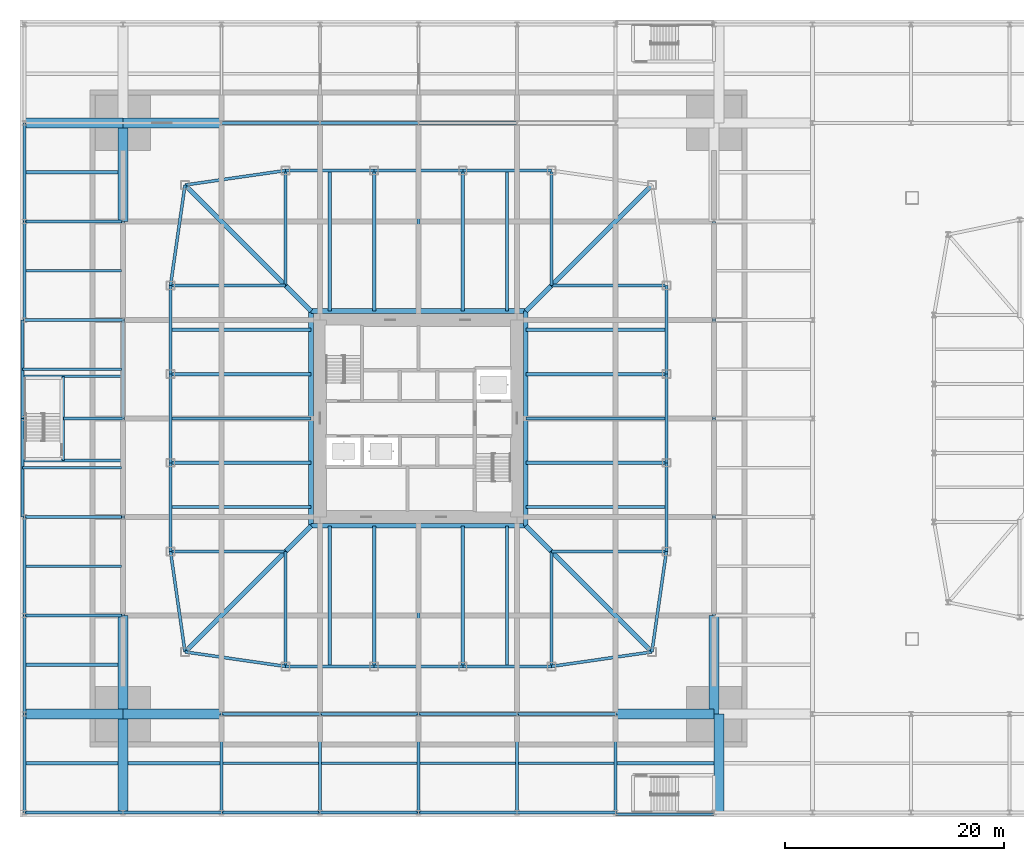
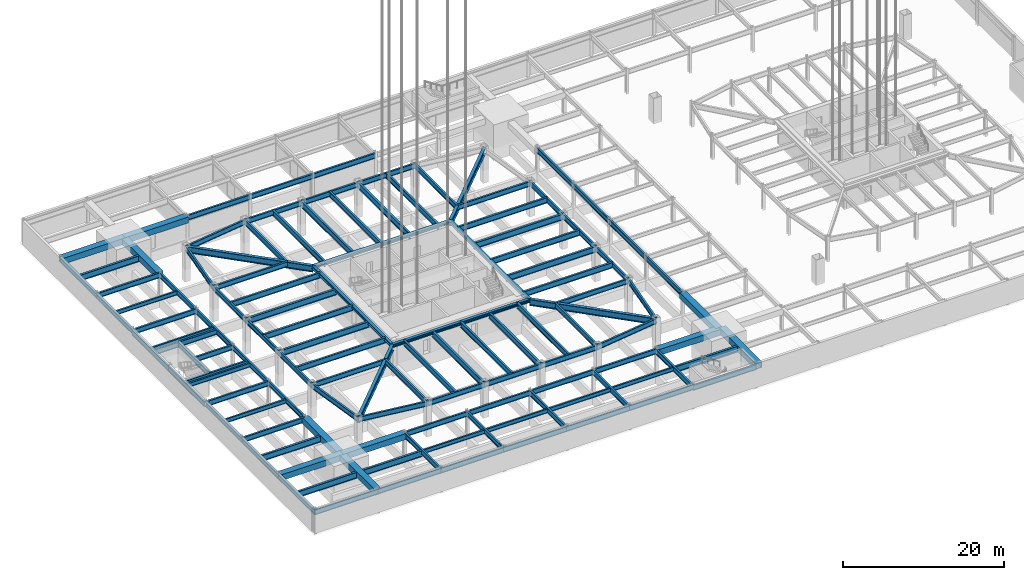
# One storey, part 6 of 35: 119 beams.
"""IFC4 building model written with IfcOpenShell, lengths in metres."""

import ifcopenshell
import ifcopenshell.guid

model = None  # the IFC model being written
_history = None  # IfcOwnerHistory: only IFC2X3 demands one
_inside = {}  # id of a spatial element -> (the spatial element, [elements in it])
_under = {}  # id of a project, library or spatial element -> (it, [spatial elements below it])
_declared = {}  # id of a project -> (the project, [libraries it declares])
_typed = {}  # id of a type object -> (the type object, [elements of that type])
_made_of = {}  # id of a material, layer set ... -> (it, [elements and type objects made of it])


def new_model(schema):
    """Start an empty IFC model of exactly this schema.

    Asked for "IFC4X3", IfcOpenShell would pick the latest addendum, in which some entities
    have other attributes; the version numbers below select the first issue.
    IFC2X3 requires an IfcOwnerHistory on every rooted entity: one is made here for all.
    """
    global model, _history
    if schema == "IFC4X3":
        model = ifcopenshell.file(schema_version=(4, 3, 0, 0))
    else:
        model = ifcopenshell.file(schema=schema)
    _inside.clear()
    _under.clear()
    _declared.clear()
    _typed.clear()
    _made_of.clear()
    _history = None
    if model.schema == "IFC2X3":
        org = make("IfcOrganization", Name="unknown")
        user = make(
            "IfcPersonAndOrganization",
            ThePerson=make("IfcPerson", FamilyName="unknown"),
            TheOrganization=org,
        )
        app = make(
            "IfcApplication",
            ApplicationDeveloper=org,
            Version="unknown",
            ApplicationFullName="unknown",
            ApplicationIdentifier="unknown",
        )
        _history = make(
            "IfcOwnerHistory",
            OwningUser=user,
            OwningApplication=app,
            ChangeAction="ADDED",
            CreationDate=0,
        )
    return model


def make(cls, **values):
    """One entity of the class cls with the attributes given. An attribute that is None is left unset."""
    return model.create_entity(
        cls, **{name: value for name, value in values.items() if value is not None}
    )


def rooted(cls, **values):
    """An entity with a GlobalId (a new one), such as an element, a storey or a relation."""
    return make(cls, GlobalId=ifcopenshell.guid.new(), OwnerHistory=_history, **values)


def si_unit(unit_type, name, prefix=None):
    """IfcSIUnit, for example si_unit("LENGTHUNIT", "METRE", prefix="MILLI")."""
    return make("IfcSIUnit", UnitType=unit_type, Prefix=prefix, Name=name)


def assignment(units):
    """IfcUnitAssignment: the units of a project."""
    return None if units is None else make("IfcUnitAssignment", Units=units)


def point(xyz):
    """IfcCartesianPoint."""
    return None if xyz is None else make("IfcCartesianPoint", Coordinates=xyz)


def direction(xyz):
    """IfcDirection."""
    return None if xyz is None else make("IfcDirection", DirectionRatios=xyz)


def frame(location, z_axis=None, x_axis=None):
    """IfcAxis2Placement3D, a coordinate frame: its origin and axes. An axis left out is left unset."""
    return make(
        "IfcAxis2Placement3D",
        Location=point(location),
        Axis=direction(z_axis),
        RefDirection=direction(x_axis),
    )


def frame_2d(location, x_axis=None):
    """IfcAxis2Placement2D, a coordinate frame in the plane: its origin and x axis."""
    return make(
        "IfcAxis2Placement2D", Location=point(location), RefDirection=direction(x_axis)
    )


def origin():
    """The frame at (0, 0, 0) with its axes left unset."""
    return frame((0.0, 0.0, 0.0))


def origin_2d():
    """The frame at (0, 0) in the plane with its x axis left unset."""
    return frame_2d((0.0, 0.0))


def place(relative_to, where):
    """IfcLocalPlacement: puts the frame where relative to a parent placement (None: the world)."""
    return make(
        "IfcLocalPlacement", PlacementRelTo=relative_to, RelativePlacement=where
    )


def context(
    kind, dimensions, precision=None, world=None, true_north=None, identifier=None
):
    """IfcGeometricRepresentationContext, for example the 3D "Model" context."""
    return make(
        "IfcGeometricRepresentationContext",
        ContextIdentifier=identifier,
        ContextType=kind,
        CoordinateSpaceDimension=dimensions,
        Precision=precision,
        WorldCoordinateSystem=world,
        TrueNorth=true_north,
    )


def subcontext(parent, identifier, kind, view, scale=None):
    """IfcGeometricRepresentationSubContext, for example "Body" below "Model"."""
    return make(
        "IfcGeometricRepresentationSubContext",
        ContextIdentifier=identifier,
        ContextType=kind,
        ParentContext=parent,
        TargetScale=scale,
        TargetView=view,
    )


def project(units=None, contexts=None):
    """IfcProject with its units and contexts."""
    return rooted(
        "IfcProject",
        Name="project",
        RepresentationContexts=contexts,
        UnitsInContext=assignment(units),
    )


def spatial(cls, under=None, at=None, **own):
    """A site, building, storey or space (cls), placed at a placement, below another one or the project."""
    s = rooted(cls, ObjectPlacement=at, **own)
    if under is not None:
        _under.setdefault(under.id(), (under, []))[1].append(s)
    return s


def profile(cls, at=None, kind="AREA", **sizes):
    """A parametric profile (cls). Its sizes go by their IFC names, for example OverallWidth=200.0."""
    return make(cls, ProfileType=kind, Position=at, **sizes)


def hollow_rectangle(**sizes):
    """IfcRectangleHollowProfileDef."""
    return profile("IfcRectangleHollowProfileDef", **sizes)


def i_section(**sizes):
    """IfcIShapeProfileDef."""
    return profile("IfcIShapeProfileDef", **sizes)


def extrude(swept, where, along, depth):
    """IfcExtrudedAreaSolid: the profile swept, set in the frame where, extruded along a direction by depth."""
    return make(
        "IfcExtrudedAreaSolid",
        SweptArea=swept,
        Position=where,
        ExtrudedDirection=direction(along),
        Depth=depth,
    )


def shape(context_of_items, identifier, shape_type, items):
    """IfcShapeRepresentation: the items that make up one representation, for example the "Body"."""
    return make(
        "IfcShapeRepresentation",
        ContextOfItems=context_of_items,
        RepresentationIdentifier=identifier,
        RepresentationType=shape_type,
        Items=items,
    )


def material(Name=None, Category=None):
    """IfcMaterial."""
    return make("IfcMaterial", Name=Name, Category=Category)


def material_profile(
    of_material, cross_section, Name=None, Category=None, Priority=None
):
    """IfcMaterialProfile: a cross section and its material."""
    return make(
        "IfcMaterialProfile",
        Name=Name,
        Material=of_material,
        Profile=cross_section,
        Priority=Priority,
        Category=Category,
    )


def profile_set(profiles, Name=None, composite=None):
    """IfcMaterialProfileSet."""
    return make(
        "IfcMaterialProfileSet",
        Name=Name,
        MaterialProfiles=profiles,
        CompositeProfile=composite,
    )


def made_of(thing, what):
    """Note that an element or type object is made of a material, layer set ...; save() writes the relation."""
    if what is not None:
        _made_of.setdefault(what.id(), (what, []))[1].append(thing)
    return thing


def type_object(cls, material=None, **own):
    """A type object (cls), such as IfcWallType, which elements share."""
    return made_of(rooted(cls, **own), material)


def element(
    cls,
    number,
    at=None,
    inside=None,
    cuts=None,
    type_object=None,
    material=None,
    context=None,
    identifier="Body",
    shape_type=None,
    held_by="IfcProductDefinitionShape",
    body=None,
    shapes=None,
    **own,
):
    """One element of the class cls, such as IfcWall. Its Tag is "e" and its number.

    at: its placement. inside: the storey or other place that contains it. cuts: it is an
    opening in that element (IfcRelVoidsElement). A single representation is given by context,
    identifier, shape_type and body (its items); several are given by shapes. held_by: the class
    of the entity that holds the representations. save() writes the other relations.
    """
    e = rooted(cls, Tag="e%d" % number, ObjectPlacement=at, **own)
    if body is not None:
        shapes = [shape(context, identifier, shape_type, body)]
    if shapes is not None:
        e.Representation = make(held_by, Representations=shapes)
    if inside is not None:
        _inside.setdefault(inside.id(), (inside, []))[1].append(e)
    if cuts is not None:
        rooted(
            "IfcRelVoidsElement", RelatingBuildingElement=cuts, RelatedOpeningElement=e
        )
    if type_object is not None:
        _typed.setdefault(type_object.id(), (type_object, []))[1].append(e)
    return made_of(e, material)


def aggregate(whole, parts):
    """IfcRelAggregates: a whole, such as a stair, and the parts it consists of."""
    return rooted("IfcRelAggregates", RelatingObject=whole, RelatedObjects=parts)


def save(model, path):
    """Write the relations noted so far, then the file.

    IfcRelAggregates (storeys below a building ...), IfcRelContainedInSpatialStructure (elements
    in a storey), IfcRelDefinesByType, IfcRelAssociatesMaterial and IfcRelDeclares: one each for
    every whole, place, type object, material and project.
    """
    for whole, parts in _under.values():
        aggregate(whole, parts)
    for where, things in _inside.values():
        rooted(
            "IfcRelContainedInSpatialStructure",
            RelatedElements=things,
            RelatingStructure=where,
        )
    for kind, things in _typed.values():
        rooted("IfcRelDefinesByType", RelatedObjects=things, RelatingType=kind)
    for what, things in _made_of.values():
        rooted("IfcRelAssociatesMaterial", RelatedObjects=things, RelatingMaterial=what)
    for by, libraries in _declared.values():
        rooted("IfcRelDeclares", RelatingContext=by, RelatedDefinitions=libraries)
    model.write(path)


model = new_model("IFC4")

# Units and contexts
model_context = context("Model", 3, precision=1e-05, world=origin(), true_north=direction((0.0, 1.0)))
body_context = subcontext(model_context, "Body", "Model", "MODEL_VIEW")
ifc_project = project(units=[si_unit("LENGTHUNIT", "METRE"), si_unit("AREAUNIT", "SQUARE_METRE"), si_unit("VOLUMEUNIT", "CUBIC_METRE"), si_unit("PLANEANGLEUNIT", "RADIAN"), si_unit("MASSUNIT", "GRAM", prefix="KILO")], contexts=[model_context])

# Site, building, storey
site_placement = place(None, origin())
site = spatial("IfcSite", under=ifc_project, at=site_placement, CompositionType="ELEMENT")
building_placement = place(site_placement, origin())
building = spatial("IfcBuilding", under=site, at=building_placement, Name="Iwan Alto Co-Living Towers", CompositionType="ELEMENT")
storey_placement = place(building_placement, frame((0.0, 0.0, -7.199951171875)))
storey = spatial("IfcBuildingStorey", under=building, at=storey_placement, Name="B2", CompositionType="ELEMENT", Elevation=-7.199951171875)

# Beams
ifc_material_1 = material(Name="Steel ASTM A992 Gr 50", Category="steel")
ifc_material_profile_1 = material_profile(ifc_material_1, i_section(OverallWidth=0.2666015625, OverallDepth=0.76953125, WebThickness=0.015625, FlangeThickness=0.025390625, at=origin_2d()), Name="W30X132")
ifc_profile_set_1 = profile_set([ifc_material_profile_1], Name="Steel ASTM A992 Gr 50")
beam_type_1 = type_object("IfcBeamType", Name="PODIUM BEAM W30X132", PredefinedType="BEAM", material=ifc_profile_set_1)
for number, where, z_axis, x_axis, name in (
    (1, (-36.0, -36.0, 2.965087890625), (1.0, 0.0, 0.0), (0.0, 1.0, 0.0), "Podium beam 1/A-2/A B1"),
    (2, (-36.0, -36.0, 2.965087890625), (0.0, 1.0, 0.0), (-1.0, 0.0, 0.0), "Podium beam 1/A-1/B B1"),
    (3, (-36.0, -27.0, 2.965087890625), (0.0, 1.0, 0.0), (-1.0, 0.0, 0.0), "Podium beam 1/B-1/C B1"),
    (4, (-36.0, -18.0, 2.965087890625), (1.0, 0.0, 0.0), (0.0, 1.0, 0.0), "Podium beam 1/C-2/C B1"),
    (5, (-36.0, -18.0, 2.965087890625), (0.0, 1.0, 0.0), (-1.0, 0.0, 0.0), "Podium beam 1/C-1/D B1"),
    (6, (-36.0, -9.0, 2.965087890625), (1.0, 0.0, 0.0), (0.0, 1.0, 0.0), "Podium beam 1/D-2/D B1"),
    (7, (-36.1533203125, -9.0, 2.965087890625), (0.0, 1.0, 0.0), (-1.0, 0.0, 0.0), "Podium beam 1/D-1/E B1"),
    (8, (-36.1533203125, 0.0, 2.965087890625), (0.0, 1.0, 0.0), (-1.0, 0.0, 0.0), "Podium beam 1/E-1/F B1"),
    (9, (-36.0, 9.0, 2.965087890625), (1.0, 0.0, 0.0), (0.0, 1.0, 0.0), "Podium beam 1/F-2/F B1"),
    (10, (-36.0, 9.0, 2.965087890625), (0.0, 1.0, 0.0), (-1.0, 0.0, 0.0), "Podium beam 1/F-1/G B1"),
    (11, (-36.0, 18.0, 2.965087890625), (1.0, 0.0, 0.0), (0.0, 1.0, 0.0), "Podium beam 1/G-2/G B1"),
    (12, (-36.0, 18.0, 2.965087890625), (0.0, 1.0, 0.0), (-1.0, 0.0, 0.0), "Podium beam 1/G-1/H B1"),
    (13, (-27.0, -36.0, 2.965087890625), (1.0, 0.0, 0.0), (0.0, 1.0, 0.0), "Podium beam 2/A-3/A B1"),
    (14, (-27.0, -18.0, 2.965087890625), (0.0, 1.0, 0.0), (-1.0, 0.0, 0.0), "Podium beam 2/C-2/D B1"),
    (15, (-27.0, -9.0, 2.965087890625), (0.0, 1.0, 0.0), (-1.0, 0.0, 0.0), "Podium beam 2/D-2/E B1"),
    (16, (-27.0, 0.0, 2.965087890625), (0.0, 1.0, 0.0), (-1.0, 0.0, 0.0), "Podium beam 2/E-2/F B1"),
    (17, (-27.0, 9.0, 2.965087890625), (0.0, 1.0, 0.0), (-1.0, 0.0, 0.0), "Podium beam 2/F-2/G B1"),
    (18, (-18.0, -36.0, 2.965087890625), (1.0, 0.0, 0.0), (0.0, 1.0, 0.0), "Podium beam 3/A-4/A B1"),
    (19, (-18.0, -36.0, 2.965087890625), (0.0, 1.0, 0.0), (-1.0, 0.0, 0.0), "Podium beam 3/A-3/B B1"),
    (20, (-18.0, -27.0, 2.965087890625), (1.0, 0.0, 0.0), (0.0, 1.0, 0.0), "Podium beam 3/B-4/B B1"),
    (21, (-18.0, 27.0, 2.965087890625), (1.0, 0.0, 0.0), (0.0, 1.0, 0.0), "Podium beam 3/H-4/H B1"),
    (22, (-9.0, -36.0, 2.965087890625), (1.0, 0.0, 0.0), (0.0, 1.0, 0.0), "Podium beam 4/A-5/A B1"),
    (23, (-9.0, -36.0, 2.965087890625), (0.0, 1.0, 0.0), (-1.0, 0.0, 0.0), "Podium beam 4/A-4/B B1"),
    (24, (-9.0, -27.0, 2.965087890625), (1.0, 0.0, 0.0), (0.0, 1.0, 0.0), "Podium beam 4/B-5/B B1"),
    (25, (-9.0, 27.0, 2.965087890625), (1.0, 0.0, 0.0), (0.0, 1.0, 0.0), "Podium beam 4/H-5/H B1"),
    (26, (0.0, -36.0, 2.965087890625), (1.0, 0.0, 0.0), (0.0, 1.0, 0.0), "Podium beam 5/A-6/A B1"),
    (27, (0.0, -36.0, 2.965087890625), (0.0, 1.0, 0.0), (-1.0, 0.0, 0.0), "Podium beam 5/A-5/B B1"),
    (28, (0.0, -27.0, 2.965087890625), (1.0, 0.0, 0.0), (0.0, 1.0, 0.0), "Podium beam 5/B-6/B B1"),
    (29, (0.0, 27.0, 2.965087890625), (1.0, 0.0, 0.0), (0.0, 1.0, 0.0), "Podium beam 5/H-6/H B1"),
    (30, (9.0, -36.0, 2.965087890625), (1.0, 0.0, 0.0), (0.0, 1.0, 0.0), "Podium beam 6/A-7/A B1"),
    (31, (9.0, -36.0, 2.965087890625), (0.0, 1.0, 0.0), (-1.0, 0.0, 0.0), "Podium beam 6/A-6/B B1"),
    (32, (9.0, -27.0, 2.965087890625), (1.0, 0.0, 0.0), (0.0, 1.0, 0.0), "Podium beam 6/B-7/B B1"),
    (33, (18.0, -36.1533203125, 2.965087890625), (1.0, 0.0, 0.0), (0.0, 1.0, 0.0), "Podium beam 7/A-8/A B1"),
    (34, (18.0, -36.0, 2.965087890625), (0.0, 1.0, 0.0), (-1.0, 0.0, 0.0), "Podium beam 7/A-7/B B1"),
    (35, (27.0, -18.0, 2.965087890625), (0.0, 1.0, 0.0), (-1.0, 0.0, 0.0), "Podium beam 8/C-8/D B1"),
    (36, (27.0, -9.0, 2.965087890625), (0.0, 1.0, 0.0), (-1.0, 0.0, 0.0), "Podium beam 8/D-8/E B1"),
    (37, (27.0, 0.0, 2.965087890625), (0.0, 1.0, 0.0), (-1.0, 0.0, 0.0), "Podium beam 8/E-8/F B1"),
    (38, (27.0, 9.0, 2.965087890625), (0.0, 1.0, 0.0), (-1.0, 0.0, 0.0), "Podium beam 8/F-8/G B1"),
):
    element("IfcBeam", number, at=place(storey_placement, frame(where, z_axis=z_axis, x_axis=x_axis)), inside=storey, type_object=beam_type_1, Name=name, PredefinedType="BEAM", context=body_context, shape_type="SweptSolid", body=[
        extrude(i_section(OverallWidth=0.2666015625, OverallDepth=0.76953125, WebThickness=0.015625, FlangeThickness=0.025390625, at=origin_2d()), origin(), (0.0, 0.0, 1.0), 9.0),
    ])
beam_1_placement = place(storey_placement, frame((-27.0, 0.0, 2.965087890625), z_axis=(-1.0, 0.0, 0.0), x_axis=(0.0, -1.0, 0.0)))
element("IfcBeam", 39, at=beam_1_placement, inside=storey, type_object=beam_type_1, Name="Podium beam 2/E to stair header B1", PredefinedType="BEAM", context=body_context, shape_type="SweptSolid", body=[
    extrude(i_section(OverallWidth=0.2666015625, OverallDepth=0.76953125, WebThickness=0.015625, FlangeThickness=0.025390625, at=origin_2d()), origin(), (0.0, 0.0, 1.0), 5.446533203125),
])
ifc_material_2 = material(Name="Steel ASTM A992 Gr 50", Category="steel")
ifc_material_profile_2 = material_profile(ifc_material_2, i_section(OverallWidth=0.307373046875, OverallDepth=0.927001953125, WebThickness=0.01953125, FlangeThickness=0.031982421875, at=origin_2d()), Name="W36X194")
ifc_profile_set_2 = profile_set([ifc_material_profile_2], Name="Steel ASTM A992 Gr 50")
beam_type_2 = type_object("IfcBeamType", Name="PODIUM PIER BAY SECONDARY BEAM W36X194", PredefinedType="JOIST", material=ifc_profile_set_2)
for number, where, z_axis, x_axis, name in (
    (40, (-35.86669921875, -31.5, 2.886474609375), (1.0, 0.0, 0.0), (0.0, 1.0, 0.0), "Podium secondary beam 1/A B1"),
    (41, (-35.86669921875, -22.5, 2.886474609375), (1.0, 0.0, 0.0), (0.0, 1.0, 0.0), "Podium secondary beam 1/B B1"),
    (42, (-35.86669921875, 22.5, 2.886474609375), (1.0, 0.0, 0.0), (0.0, 1.0, 0.0), "Podium secondary beam 1/G B1"),
    (43, (-26.550048828125, -31.5, 2.886474609375), (1.0, 0.0, 0.0), (0.0, 1.0, 0.0), "Podium secondary beam 2/A B1"),
):
    element("IfcBeam", number, at=place(storey_placement, frame(where, z_axis=z_axis, x_axis=x_axis)), inside=storey, type_object=beam_type_2, Name=name, PredefinedType="JOIST", context=body_context, shape_type="SweptSolid", body=[
        extrude(i_section(OverallWidth=0.307373046875, OverallDepth=0.927001953125, WebThickness=0.01953125, FlangeThickness=0.031982421875, at=origin_2d()), origin(), (0.0, 0.0, 1.0), 8.416748046875),
    ])
beam_2_placement = place(storey_placement, frame((18.13330078125, -31.5, 2.886474609375), z_axis=(1.0, 0.0, 0.0), x_axis=(0.0, 1.0, 0.0)))
element("IfcBeam", 44, at=beam_2_placement, inside=storey, type_object=beam_type_2, Name="Podium secondary beam 7/A B1", PredefinedType="JOIST", context=body_context, shape_type="SweptSolid", body=[
    extrude(i_section(OverallWidth=0.307373046875, OverallDepth=0.927001953125, WebThickness=0.01953125, FlangeThickness=0.031982421875, at=origin_2d()), origin(), (0.0, 0.0, 1.0), 8.88671875),
])
ifc_material_3 = material(Name="Steel ASTM A572 Gr 50", Category="steel")
ifc_material_profile_3 = material_profile(ifc_material_3, hollow_rectangle(XDim=0.89990234375, YDim=0.89990234375, WallThickness=0.06005859375, at=origin_2d()), Name="BOX 900X900X60")
ifc_profile_set_3 = profile_set([ifc_material_profile_3], Name="Steel ASTM A572 Gr 50")
beam_type_3 = type_object("IfcBeamType", Name="PODIUM PIER BEAM BOX 900X900X60", PredefinedType="BEAM", material=ifc_profile_set_3)
for number, where, z_axis, x_axis, name in (
    (45, (-36.0, -27.0, 2.89990234375), (1.0, 0.0, 0.0), (0.0, 1.0, 0.0), "Podium beam 1/B-2/B B1"),
    (46, (-36.0, 27.0, 2.89990234375), (1.0, 0.0, 0.0), (0.0, 1.0, 0.0), "Podium beam 1/H-2/H B1"),
    (47, (-27.0, -36.0, 2.89990234375), (0.0, 1.0, 0.0), (-1.0, 0.0, 0.0), "Podium beam 2/A-2/B B1"),
    (48, (-27.0, -27.0, 2.89990234375), (1.0, 0.0, 0.0), (0.0, 1.0, 0.0), "Podium beam 2/B-3/B B1"),
    (49, (-27.0, -27.0, 2.89990234375), (0.0, 1.0, 0.0), (-1.0, 0.0, 0.0), "Podium beam 2/B-2/C B1"),
    (50, (-27.0, 18.0, 2.89990234375), (0.0, 1.0, 0.0), (-1.0, 0.0, 0.0), "Podium beam 2/G-2/H B1"),
    (51, (-27.0, 27.0, 2.89990234375), (1.0, 0.0, 0.0), (0.0, 1.0, 0.0), "Podium beam 2/H-3/H B1"),
    (52, (18.0, -27.0, 2.89990234375), (1.0, 0.0, 0.0), (0.0, 1.0, 0.0), "Podium beam 7/B-8/B B1"),
    (53, (27.469970703125, -36.0, 2.89990234375), (0.0, 1.0, 0.0), (-1.0, 0.0, 0.0), "Podium beam 8/A-8/B B1"),
    (54, (27.0, -27.0, 2.89990234375), (0.0, 1.0, 0.0), (-1.0, 0.0, 0.0), "Podium beam 8/B-8/C B1"),
):
    element("IfcBeam", number, at=place(storey_placement, frame(where, z_axis=z_axis, x_axis=x_axis)), inside=storey, type_object=beam_type_3, Name=name, PredefinedType="BEAM", context=body_context, shape_type="SweptSolid", body=[
        extrude(hollow_rectangle(XDim=0.89990234375, YDim=0.89990234375, WallThickness=0.06005859375, at=origin_2d()), origin(), (0.0, 0.0, 1.0), 9.0),
    ])
ifc_material_4 = material(Name="Steel ASTM A992 Gr 50", Category="steel")
ifc_material_profile_4 = material_profile(ifc_material_4, i_section(OverallWidth=0.23046875, OverallDepth=0.6171875, WebThickness=0.01318359375, FlangeThickness=0.022216796875, at=origin_2d()), Name="W24X94")
ifc_profile_set_4 = profile_set([ifc_material_profile_4], Name="Steel ASTM A992 Gr 50")
beam_type_4 = type_object("IfcBeamType", Name="PODIUM SECONDARY BEAM W24X94", PredefinedType="JOIST", material=ifc_profile_set_4)
beam_3_placement = place(storey_placement, frame((-35.86669921875, -13.5, 3.041259765625), z_axis=(1.0, 0.0, 0.0), x_axis=(0.0, 1.0, 0.0)))
element("IfcBeam", 55, at=beam_3_placement, inside=storey, type_object=beam_type_4, Name="Podium secondary beam 1/C B1", PredefinedType="JOIST", context=body_context, shape_type="SweptSolid", body=[
    extrude(i_section(OverallWidth=0.23046875, OverallDepth=0.6171875, WebThickness=0.01318359375, FlangeThickness=0.022216796875, at=origin_2d()), origin(), (0.0, 0.0, 1.0), 8.7333984375),
])
for number, where, z_axis, x_axis, name in (
    (56, (-36.1533203125, -4.5, 3.041259765625), (1.0, 0.0, 0.0), (0.0, 1.0, 0.0), "Podium secondary beam 1/D B1"),
    (57, (-36.1533203125, 4.5, 3.041259765625), (1.0, 0.0, 0.0), (0.0, 1.0, 0.0), "Podium secondary beam 1/E B1"),
):
    element("IfcBeam", number, at=place(storey_placement, frame(where, z_axis=z_axis, x_axis=x_axis)), inside=storey, type_object=beam_type_4, Name=name, PredefinedType="JOIST", context=body_context, shape_type="SweptSolid", body=[
        extrude(i_section(OverallWidth=0.23046875, OverallDepth=0.6171875, WebThickness=0.01318359375, FlangeThickness=0.022216796875, at=origin_2d()), origin(), (0.0, 0.0, 1.0), 9.02001953125),
    ])
for number, where, z_axis, x_axis, name in (
    (58, (-35.86669921875, 13.5, 3.041259765625), (1.0, 0.0, 0.0), (0.0, 1.0, 0.0), "Podium secondary beam 1/F B1"),
    (59, (-17.86669921875, -31.5, 3.041259765625), (1.0, 0.0, 0.0), (0.0, 1.0, 0.0), "Podium secondary beam 3/A B1"),
    (60, (-8.86669921875, -31.5, 3.041259765625), (1.0, 0.0, 0.0), (0.0, 1.0, 0.0), "Podium secondary beam 4/A B1"),
    (61, (0.13330078125, -31.5, 3.041259765625), (1.0, 0.0, 0.0), (0.0, 1.0, 0.0), "Podium secondary beam 5/A B1"),
    (62, (9.13330078125, -31.5, 3.041259765625), (1.0, 0.0, 0.0), (0.0, 1.0, 0.0), "Podium secondary beam 6/A B1"),
):
    element("IfcBeam", number, at=place(storey_placement, frame(where, z_axis=z_axis, x_axis=x_axis)), inside=storey, type_object=beam_type_4, Name=name, PredefinedType="JOIST", context=body_context, shape_type="SweptSolid", body=[
        extrude(i_section(OverallWidth=0.23046875, OverallDepth=0.6171875, WebThickness=0.01318359375, FlangeThickness=0.022216796875, at=origin_2d()), origin(), (0.0, 0.0, 1.0), 8.7333984375),
    ])
ifc_material_5 = material(Name="Steel ASTM A992 Gr 50", Category="steel")
ifc_material_profile_5 = material_profile(ifc_material_5, i_section(OverallWidth=0.2666015625, OverallDepth=0.76953125, WebThickness=0.015625, FlangeThickness=0.025390625, at=origin_2d()), Name="W30X132")
ifc_profile_set_5 = profile_set([ifc_material_profile_5], Name="Steel ASTM A992 Gr 50")
beam_type_5 = type_object("IfcBeamType", Name="PODIUM STAIR HEADER BEAM W30X132", PredefinedType="BEAM", material=ifc_profile_set_5)
beam_4_placement = place(storey_placement, frame((-32.446533203125, -3.853271484375, 2.965087890625), z_axis=(0.0, 1.0, 0.0), x_axis=(-1.0, 0.0, 0.0)))
element("IfcBeam", 63, at=beam_4_placement, inside=storey, type_object=beam_type_5, Name="Podium stair header 1/E-2/E B1", PredefinedType="BEAM", context=body_context, shape_type="SweptSolid", body=[
    extrude(i_section(OverallWidth=0.2666015625, OverallDepth=0.76953125, WebThickness=0.015625, FlangeThickness=0.025390625, at=origin_2d()), origin(), (0.0, 0.0, 1.0), 7.70654296875),
])
ifc_material_6 = material(Name="Steel ASTM A992 Gr 50", Category="steel")
ifc_material_profile_6 = material_profile(ifc_material_6, i_section(OverallWidth=0.2666015625, OverallDepth=0.76953125, WebThickness=0.015625, FlangeThickness=0.025390625, at=origin_2d()), Name="W30X132")
ifc_profile_set_6 = profile_set([ifc_material_profile_6], Name="Steel ASTM A992 Gr 50")
beam_type_6 = type_object("IfcBeamType", Name="PODIUM STAIR TRIMMER BEAM W30X132", PredefinedType="BEAM", material=ifc_profile_set_6)
for number, where, z_axis, x_axis, name in (
    (64, (-36.1533203125, -3.853271484375, 2.965087890625), (1.0, 0.0, 0.0), (0.0, 1.0, 0.0), "Podium stair trimmer 1/E-2/E S B1"),
    (65, (-36.1533203125, 3.853271484375, 2.965087890625), (1.0, 0.0, 0.0), (0.0, 1.0, 0.0), "Podium stair trimmer 1/E-2/E N B1"),
):
    element("IfcBeam", number, at=place(storey_placement, frame(where, z_axis=z_axis, x_axis=x_axis)), inside=storey, type_object=beam_type_6, Name=name, PredefinedType="BEAM", context=body_context, shape_type="SweptSolid", body=[
        extrude(i_section(OverallWidth=0.2666015625, OverallDepth=0.76953125, WebThickness=0.015625, FlangeThickness=0.025390625, at=origin_2d()), origin(), (0.0, 0.0, 1.0), 9.1533203125),
    ])
ifc_material_7 = material(Name="Steel ASTM A992 Gr 50", Category="steel")
ifc_material_profile_7 = material_profile(ifc_material_7, i_section(OverallWidth=0.424072265625, OverallDepth=0.47509765625, WebThickness=0.0478515625, FlangeThickness=0.0771484375, at=origin_2d()), Name="W14X426")
ifc_profile_set_7 = profile_set([ifc_material_profile_7], Name="Steel ASTM A992 Gr 50")
beam_type_7 = type_object("IfcBeamType", Name="T1 CORE LEDGER BEAM W14X426", PredefinedType="BEAM", material=ifc_profile_set_7)
for number, where, z_axis, x_axis, name in (
    (66, (-9.81201171875, -9.81201171875, 3.112548828125), (1.0, 0.0, 0.0), (0.0, 1.0, 0.0), "T1 core ledger beam S B1"),
    (67, (9.81201171875, -9.81201171875, 3.112548828125), (0.0, 1.0, 0.0), (-1.0, 0.0, 0.0), "T1 core ledger beam E B1"),
    (68, (9.81201171875, 9.81201171875, 3.112548828125), (-1.0, 0.0, 0.0), (0.0, -1.0, 0.0), "T1 core ledger beam N B1"),
    (69, (-9.81201171875, 9.81201171875, 3.112548828125), (0.0, -1.0, 0.0), (1.0, 0.0, 0.0), "T1 core ledger beam W B1"),
):
    element("IfcBeam", number, at=place(storey_placement, frame(where, z_axis=z_axis, x_axis=x_axis)), inside=storey, type_object=beam_type_7, Name=name, PredefinedType="BEAM", context=body_context, shape_type="SweptSolid", body=[
        extrude(i_section(OverallWidth=0.424072265625, OverallDepth=0.47509765625, WebThickness=0.0478515625, FlangeThickness=0.0771484375, at=origin_2d()), origin(), (0.0, 0.0, 1.0), 19.6240234375),
    ])
ifc_material_8 = material(Name="Steel ASTM A992 Gr 50", Category="steel")
ifc_material_profile_8 = material_profile(ifc_material_8, i_section(OverallWidth=0.424072265625, OverallDepth=0.947509765625, WebThickness=0.02392578125, FlangeThickness=0.042724609375, at=origin_2d()), Name="W36X302")
ifc_profile_set_8 = profile_set([ifc_material_profile_8], Name="Steel ASTM A992 Gr 50")
beam_type_8 = type_object("IfcBeamType", Name="T1 CORNER GIRDER W36X302", PredefinedType="BEAM", material=ifc_profile_set_8)
for number, where, z_axis, x_axis, name in (
    (70, (-21.32568359375, -21.32568359375, 2.876220703125), (0.707106781187, 0.707106781187, 0.0), (-0.707106781187, 0.707106781187, 0.0), "T1 corner girder CSW B1"),
    (71, (21.32568359375, -21.32568359375, 2.876220703125), (-0.707106781187, 0.707106781187, 0.0), (-0.707106781187, -0.707106781187, 0.0), "T1 corner girder CSE B1"),
    (72, (21.32568359375, 21.32568359375, 2.876220703125), (-0.707106781187, -0.707106781187, 0.0), (0.707106781187, -0.707106781187, 0.0), "T1 corner girder CNE B1"),
    (73, (-21.32568359375, 21.32568359375, 2.876220703125), (0.707106781187, -0.707106781187, 0.0), (0.707106781187, 0.707106781187, 0.0), "T1 corner girder CNW B1"),
):
    element("IfcBeam", number, at=place(storey_placement, frame(where, z_axis=z_axis, x_axis=x_axis)), inside=storey, type_object=beam_type_8, Name=name, PredefinedType="BEAM", context=body_context, shape_type="SweptSolid", body=[
        extrude(i_section(OverallWidth=0.424072265625, OverallDepth=0.947509765625, WebThickness=0.02392578125, FlangeThickness=0.042724609375, at=origin_2d()), origin(), (0.0, 0.0, 1.0), 16.28271484375),
    ])
ifc_material_9 = material(Name="Steel ASTM A992 Gr 50", Category="steel")
ifc_material_profile_9 = material_profile(ifc_material_9, i_section(OverallWidth=0.2666015625, OverallDepth=0.761962890625, WebThickness=0.014404296875, FlangeThickness=0.021484375, at=origin_2d()), Name="W30X116")
ifc_profile_set_9 = profile_set([ifc_material_profile_9], Name="Steel ASTM A992 Gr 50")
beam_type_9 = type_object("IfcBeamType", Name="T1 EDGE BEAM W30X116", PredefinedType="BEAM", material=ifc_profile_set_9)
beam_5_placement = place(storey_placement, frame((-21.32568359375, -21.32568359375, 2.968994140625), z_axis=(0.989746234347, -0.142836940589, 0.0), x_axis=(0.142836940589, 0.989746234347, 0.0)))
element("IfcBeam", 74, at=beam_5_placement, inside=storey, type_object=beam_type_9, Name="T1 edge beam CSW B1", PredefinedType="BEAM", context=body_context, shape_type="SweptSolid", body=[
    extrude(i_section(OverallWidth=0.2666015625, OverallDepth=0.761962890625, WebThickness=0.014404296875, FlangeThickness=0.021484375, at=origin_2d()), origin(), (0.0, 0.0, 1.0), 9.270751953125),
])
beam_6_placement = place(storey_placement, frame((-12.14990234375, -22.64990234375, 2.968994140625), z_axis=(1.0, 0.0, 0.0), x_axis=(0.0, 1.0, 0.0)))
element("IfcBeam", 75, at=beam_6_placement, inside=storey, type_object=beam_type_9, Name="T1 edge beam S1 B1", PredefinedType="BEAM", context=body_context, shape_type="SweptSolid", body=[
    extrude(i_section(OverallWidth=0.2666015625, OverallDepth=0.761962890625, WebThickness=0.014404296875, FlangeThickness=0.021484375, at=origin_2d()), origin(), (0.0, 0.0, 1.0), 8.099853515625),
])
beam_7_placement = place(storey_placement, frame((-4.050048828125, -22.64990234375, 2.968994140625), z_axis=(1.0, 0.0, 0.0), x_axis=(0.0, 1.0, 0.0)))
element("IfcBeam", 76, at=beam_7_placement, inside=storey, type_object=beam_type_9, Name="T1 edge beam S2 B1", PredefinedType="BEAM", context=body_context, shape_type="SweptSolid", body=[
    extrude(i_section(OverallWidth=0.2666015625, OverallDepth=0.761962890625, WebThickness=0.014404296875, FlangeThickness=0.021484375, at=origin_2d()), origin(), (0.0, 0.0, 1.0), 8.10009765625),
])
beam_8_placement = place(storey_placement, frame((4.050048828125, -22.64990234375, 2.968994140625), z_axis=(1.0, 0.0, 0.0), x_axis=(0.0, 1.0, 0.0)))
element("IfcBeam", 77, at=beam_8_placement, inside=storey, type_object=beam_type_9, Name="T1 edge beam S3 B1", PredefinedType="BEAM", context=body_context, shape_type="SweptSolid", body=[
    extrude(i_section(OverallWidth=0.2666015625, OverallDepth=0.761962890625, WebThickness=0.014404296875, FlangeThickness=0.021484375, at=origin_2d()), origin(), (0.0, 0.0, 1.0), 8.099853515625),
])
for number, where, z_axis, x_axis, name in (
    (78, (12.14990234375, -22.64990234375, 2.968994140625), (0.989746234347, 0.142836940589, 0.0), (-0.142836940589, 0.989746234347, 0.0), "T1 edge beam S4 B1"),
    (79, (21.32568359375, -21.32568359375, 2.968994140625), (0.142836940589, 0.989746234347, 0.0), (-0.989746234347, 0.142836940589, 0.0), "T1 edge beam CSE B1"),
):
    element("IfcBeam", number, at=place(storey_placement, frame(where, z_axis=z_axis, x_axis=x_axis)), inside=storey, type_object=beam_type_9, Name=name, PredefinedType="BEAM", context=body_context, shape_type="SweptSolid", body=[
        extrude(i_section(OverallWidth=0.2666015625, OverallDepth=0.761962890625, WebThickness=0.014404296875, FlangeThickness=0.021484375, at=origin_2d()), origin(), (0.0, 0.0, 1.0), 9.270751953125),
    ])
beam_9_placement = place(storey_placement, frame((22.64990234375, -12.14990234375, 2.968994140625), z_axis=(0.0, 1.0, 0.0), x_axis=(-1.0, 0.0, 0.0)))
element("IfcBeam", 80, at=beam_9_placement, inside=storey, type_object=beam_type_9, Name="T1 edge beam E1 B1", PredefinedType="BEAM", context=body_context, shape_type="SweptSolid", body=[
    extrude(i_section(OverallWidth=0.2666015625, OverallDepth=0.761962890625, WebThickness=0.014404296875, FlangeThickness=0.021484375, at=origin_2d()), origin(), (0.0, 0.0, 1.0), 8.099853515625),
])
beam_10_placement = place(storey_placement, frame((22.64990234375, -4.050048828125, 2.968994140625), z_axis=(0.0, 1.0, 0.0), x_axis=(-1.0, 0.0, 0.0)))
element("IfcBeam", 81, at=beam_10_placement, inside=storey, type_object=beam_type_9, Name="T1 edge beam E2 B1", PredefinedType="BEAM", context=body_context, shape_type="SweptSolid", body=[
    extrude(i_section(OverallWidth=0.2666015625, OverallDepth=0.761962890625, WebThickness=0.014404296875, FlangeThickness=0.021484375, at=origin_2d()), origin(), (0.0, 0.0, 1.0), 8.10009765625),
])
for number, where, z_axis, x_axis, name in (
    (82, (22.64990234375, 4.050048828125, 2.968994140625), (0.0, 1.0, 0.0), (-1.0, 0.0, 0.0), "T1 edge beam E3 B1"),
    (83, (12.14990234375, 22.64990234375, 2.968994140625), (-1.0, 0.0, 0.0), (0.0, -1.0, 0.0), "T1 edge beam N1 B1"),
):
    element("IfcBeam", number, at=place(storey_placement, frame(where, z_axis=z_axis, x_axis=x_axis)), inside=storey, type_object=beam_type_9, Name=name, PredefinedType="BEAM", context=body_context, shape_type="SweptSolid", body=[
        extrude(i_section(OverallWidth=0.2666015625, OverallDepth=0.761962890625, WebThickness=0.014404296875, FlangeThickness=0.021484375, at=origin_2d()), origin(), (0.0, 0.0, 1.0), 8.099853515625),
    ])
beam_11_placement = place(storey_placement, frame((4.050048828125, 22.64990234375, 2.968994140625), z_axis=(-1.0, 0.0, 0.0), x_axis=(0.0, -1.0, 0.0)))
element("IfcBeam", 84, at=beam_11_placement, inside=storey, type_object=beam_type_9, Name="T1 edge beam N2 B1", PredefinedType="BEAM", context=body_context, shape_type="SweptSolid", body=[
    extrude(i_section(OverallWidth=0.2666015625, OverallDepth=0.761962890625, WebThickness=0.014404296875, FlangeThickness=0.021484375, at=origin_2d()), origin(), (0.0, 0.0, 1.0), 8.10009765625),
])
beam_12_placement = place(storey_placement, frame((-4.050048828125, 22.64990234375, 2.968994140625), z_axis=(-1.0, 0.0, 0.0), x_axis=(0.0, -1.0, 0.0)))
element("IfcBeam", 85, at=beam_12_placement, inside=storey, type_object=beam_type_9, Name="T1 edge beam N3 B1", PredefinedType="BEAM", context=body_context, shape_type="SweptSolid", body=[
    extrude(i_section(OverallWidth=0.2666015625, OverallDepth=0.761962890625, WebThickness=0.014404296875, FlangeThickness=0.021484375, at=origin_2d()), origin(), (0.0, 0.0, 1.0), 8.099853515625),
])
for number, where, z_axis, x_axis, name in (
    (86, (-12.14990234375, 22.64990234375, 2.968994140625), (-0.989746234347, -0.142836940589, 0.0), (0.142836940589, -0.989746234347, 0.0), "T1 edge beam N4 B1"),
    (87, (-21.32568359375, 21.32568359375, 2.968994140625), (-0.142836940589, -0.989746234347, 0.0), (0.989746234347, -0.142836940589, 0.0), "T1 edge beam CNW B1"),
):
    element("IfcBeam", number, at=place(storey_placement, frame(where, z_axis=z_axis, x_axis=x_axis)), inside=storey, type_object=beam_type_9, Name=name, PredefinedType="BEAM", context=body_context, shape_type="SweptSolid", body=[
        extrude(i_section(OverallWidth=0.2666015625, OverallDepth=0.761962890625, WebThickness=0.014404296875, FlangeThickness=0.021484375, at=origin_2d()), origin(), (0.0, 0.0, 1.0), 9.270751953125),
    ])
beam_13_placement = place(storey_placement, frame((-22.64990234375, 12.14990234375, 2.968994140625), z_axis=(0.0, -1.0, 0.0), x_axis=(1.0, 0.0, 0.0)))
element("IfcBeam", 88, at=beam_13_placement, inside=storey, type_object=beam_type_9, Name="T1 edge beam W1 B1", PredefinedType="BEAM", context=body_context, shape_type="SweptSolid", body=[
    extrude(i_section(OverallWidth=0.2666015625, OverallDepth=0.761962890625, WebThickness=0.014404296875, FlangeThickness=0.021484375, at=origin_2d()), origin(), (0.0, 0.0, 1.0), 8.099853515625),
])
beam_14_placement = place(storey_placement, frame((-22.64990234375, 4.050048828125, 2.968994140625), z_axis=(0.0, -1.0, 0.0), x_axis=(1.0, 0.0, 0.0)))
element("IfcBeam", 89, at=beam_14_placement, inside=storey, type_object=beam_type_9, Name="T1 edge beam W2 B1", PredefinedType="BEAM", context=body_context, shape_type="SweptSolid", body=[
    extrude(i_section(OverallWidth=0.2666015625, OverallDepth=0.761962890625, WebThickness=0.014404296875, FlangeThickness=0.021484375, at=origin_2d()), origin(), (0.0, 0.0, 1.0), 8.10009765625),
])
beam_15_placement = place(storey_placement, frame((-22.64990234375, -4.050048828125, 2.968994140625), z_axis=(0.0, -1.0, 0.0), x_axis=(1.0, 0.0, 0.0)))
element("IfcBeam", 90, at=beam_15_placement, inside=storey, type_object=beam_type_9, Name="T1 edge beam W3 B1", PredefinedType="BEAM", context=body_context, shape_type="SweptSolid", body=[
    extrude(i_section(OverallWidth=0.2666015625, OverallDepth=0.761962890625, WebThickness=0.014404296875, FlangeThickness=0.021484375, at=origin_2d()), origin(), (0.0, 0.0, 1.0), 8.099853515625),
])
beam_16_placement = place(storey_placement, frame((-22.64990234375, -12.14990234375, 2.968994140625), z_axis=(0.142836940589, -0.989746234347, 0.0), x_axis=(0.989746234347, 0.142836940589, 0.0)))
element("IfcBeam", 91, at=beam_16_placement, inside=storey, type_object=beam_type_9, Name="T1 edge beam W4 B1", PredefinedType="BEAM", context=body_context, shape_type="SweptSolid", body=[
    extrude(i_section(OverallWidth=0.2666015625, OverallDepth=0.761962890625, WebThickness=0.014404296875, FlangeThickness=0.021484375, at=origin_2d()), origin(), (0.0, 0.0, 1.0), 9.270751953125),
])
ifc_material_10 = material(Name="Steel ASTM A992 Gr 50", Category="steel")
ifc_material_profile_10 = material_profile(ifc_material_10, i_section(OverallWidth=0.2666015625, OverallDepth=0.761962890625, WebThickness=0.014404296875, FlangeThickness=0.021484375, at=origin_2d()), Name="W30X116")
ifc_profile_set_10 = profile_set([ifc_material_profile_10], Name="Steel ASTM A992 Gr 50")
beam_type_10 = type_object("IfcBeamType", Name="T1 RADIAL BEAM W30X116", PredefinedType="BEAM", material=ifc_profile_set_10)
for number, where, z_axis, x_axis, name in (
    (92, (-12.14990234375, -22.64990234375, 2.968994140625), (0.0, 1.0, 0.0), (-1.0, 0.0, 0.0), "T1 radial beam S1 B1"),
    (93, (12.14990234375, -22.64990234375, 2.968994140625), (0.0, 1.0, 0.0), (-1.0, 0.0, 0.0), "T1 radial beam S4 B1"),
    (94, (22.64990234375, -12.14990234375, 2.968994140625), (-1.0, 0.0, 0.0), (0.0, -1.0, 0.0), "T1 radial beam E1 B1"),
    (95, (22.64990234375, 12.14990234375, 2.968994140625), (-1.0, 0.0, 0.0), (0.0, -1.0, 0.0), "T1 radial beam E4 B1"),
    (96, (12.14990234375, 22.64990234375, 2.968994140625), (0.0, -1.0, 0.0), (1.0, 0.0, 0.0), "T1 radial beam N1 B1"),
    (97, (-12.14990234375, 22.64990234375, 2.968994140625), (0.0, -1.0, 0.0), (1.0, 0.0, 0.0), "T1 radial beam N4 B1"),
    (98, (-22.64990234375, 12.14990234375, 2.968994140625), (1.0, 0.0, 0.0), (0.0, 1.0, 0.0), "T1 radial beam W1 B1"),
    (99, (-22.64990234375, -12.14990234375, 2.968994140625), (1.0, 0.0, 0.0), (0.0, 1.0, 0.0), "T1 radial beam W4 B1"),
):
    element("IfcBeam", number, at=place(storey_placement, frame(where, z_axis=z_axis, x_axis=x_axis)), inside=storey, type_object=beam_type_10, Name=name, PredefinedType="BEAM", context=body_context, shape_type="SweptSolid", body=[
        extrude(i_section(OverallWidth=0.2666015625, OverallDepth=0.761962890625, WebThickness=0.014404296875, FlangeThickness=0.021484375, at=origin_2d()), origin(), (0.0, 0.0, 1.0), 10.5),
    ])
ifc_material_11 = material(Name="Steel ASTM A992 Gr 50", Category="steel")
ifc_material_profile_11 = material_profile(ifc_material_11, i_section(OverallWidth=0.3046875, OverallDepth=0.911865234375, WebThickness=0.015869140625, FlangeThickness=0.02392578125, at=origin_2d()), Name="W36X150")
ifc_profile_set_11 = profile_set([ifc_material_profile_11], Name="Steel ASTM A992 Gr 50")
beam_type_11 = type_object("IfcBeamType", Name="T1 RADIAL BEAM W36X150", PredefinedType="BEAM", material=ifc_profile_set_11)
for number, where, z_axis, x_axis, name in (
    (100, (-4.050048828125, -22.64990234375, 2.89404296875), (0.0, 1.0, 0.0), (-1.0, 0.0, 0.0), "T1 radial beam S2 B1"),
    (101, (4.050048828125, -22.64990234375, 2.89404296875), (0.0, 1.0, 0.0), (-1.0, 0.0, 0.0), "T1 radial beam S3 B1"),
    (102, (22.64990234375, -4.050048828125, 2.89404296875), (-1.0, 0.0, 0.0), (0.0, -1.0, 0.0), "T1 radial beam E2 B1"),
    (103, (22.64990234375, 4.050048828125, 2.89404296875), (-1.0, 0.0, 0.0), (0.0, -1.0, 0.0), "T1 radial beam E3 B1"),
    (104, (4.050048828125, 22.64990234375, 2.89404296875), (0.0, -1.0, 0.0), (1.0, 0.0, 0.0), "T1 radial beam N2 B1"),
    (105, (-4.050048828125, 22.64990234375, 2.89404296875), (0.0, -1.0, 0.0), (1.0, 0.0, 0.0), "T1 radial beam N3 B1"),
    (106, (-22.64990234375, 4.050048828125, 2.89404296875), (1.0, 0.0, 0.0), (0.0, 1.0, 0.0), "T1 radial beam W2 B1"),
    (107, (-22.64990234375, -4.050048828125, 2.89404296875), (1.0, 0.0, 0.0), (0.0, 1.0, 0.0), "T1 radial beam W3 B1"),
):
    element("IfcBeam", number, at=place(storey_placement, frame(where, z_axis=z_axis, x_axis=x_axis)), inside=storey, type_object=beam_type_11, Name=name, PredefinedType="BEAM", context=body_context, shape_type="SweptSolid", body=[
        extrude(i_section(OverallWidth=0.3046875, OverallDepth=0.911865234375, WebThickness=0.015869140625, FlangeThickness=0.02392578125, at=origin_2d()), origin(), (0.0, 0.0, 1.0), 12.837890625),
    ])
ifc_material_12 = material(Name="Steel ASTM A992 Gr 50", Category="steel")
ifc_material_profile_12 = material_profile(ifc_material_12, i_section(OverallWidth=0.2919921875, OverallDepth=0.8408203125, WebThickness=0.0146484375, FlangeThickness=0.021728515625, at=origin_2d()), Name="W33X130")
ifc_profile_set_12 = profile_set([ifc_material_profile_12], Name="Steel ASTM A992 Gr 50")
beam_type_12 = type_object("IfcBeamType", Name="T1 SECONDARY BEAM W33X130", PredefinedType="JOIST", material=ifc_profile_set_12)
for number, where, z_axis, x_axis, name in (
    (108, (-8.10009765625, -22.64990234375, 2.9296875), (0.0, 1.0, 0.0), (-1.0, 0.0, 0.0), "T1 secondary beam S1 B1"),
    (109, (0.0, -22.64990234375, 2.9296875), (0.0, 1.0, 0.0), (-1.0, 0.0, 0.0), "T1 secondary beam S2 B1"),
    (110, (8.10009765625, -22.64990234375, 2.9296875), (0.0, 1.0, 0.0), (-1.0, 0.0, 0.0), "T1 secondary beam S3 B1"),
    (111, (22.64990234375, -8.10009765625, 2.9296875), (-1.0, 0.0, 0.0), (0.0, -1.0, 0.0), "T1 secondary beam E1 B1"),
    (112, (22.64990234375, 0.0, 2.9296875), (-1.0, 0.0, 0.0), (0.0, -1.0, 0.0), "T1 secondary beam E2 B1"),
    (113, (22.64990234375, 8.10009765625, 2.9296875), (-1.0, 0.0, 0.0), (0.0, -1.0, 0.0), "T1 secondary beam E3 B1"),
    (114, (8.10009765625, 22.64990234375, 2.9296875), (0.0, -1.0, 0.0), (1.0, 0.0, 0.0), "T1 secondary beam N1 B1"),
    (115, (0.0, 22.64990234375, 2.9296875), (0.0, -1.0, 0.0), (1.0, 0.0, 0.0), "T1 secondary beam N2 B1"),
    (116, (-8.10009765625, 22.64990234375, 2.9296875), (0.0, -1.0, 0.0), (1.0, 0.0, 0.0), "T1 secondary beam N3 B1"),
    (117, (-22.64990234375, 8.10009765625, 2.9296875), (1.0, 0.0, 0.0), (0.0, 1.0, 0.0), "T1 secondary beam W1 B1"),
    (118, (-22.64990234375, 0.0, 2.9296875), (1.0, 0.0, 0.0), (0.0, 1.0, 0.0), "T1 secondary beam W2 B1"),
    (119, (-22.64990234375, -8.10009765625, 2.9296875), (1.0, 0.0, 0.0), (0.0, 1.0, 0.0), "T1 secondary beam W3 B1"),
):
    element("IfcBeam", number, at=place(storey_placement, frame(where, z_axis=z_axis, x_axis=x_axis)), inside=storey, type_object=beam_type_12, Name=name, PredefinedType="JOIST", context=body_context, shape_type="SweptSolid", body=[
        extrude(i_section(OverallWidth=0.2919921875, OverallDepth=0.8408203125, WebThickness=0.0146484375, FlangeThickness=0.021728515625, at=origin_2d()), origin(), (0.0, 0.0, 1.0), 12.837890625),
    ])

save(model, "model.ifc")
